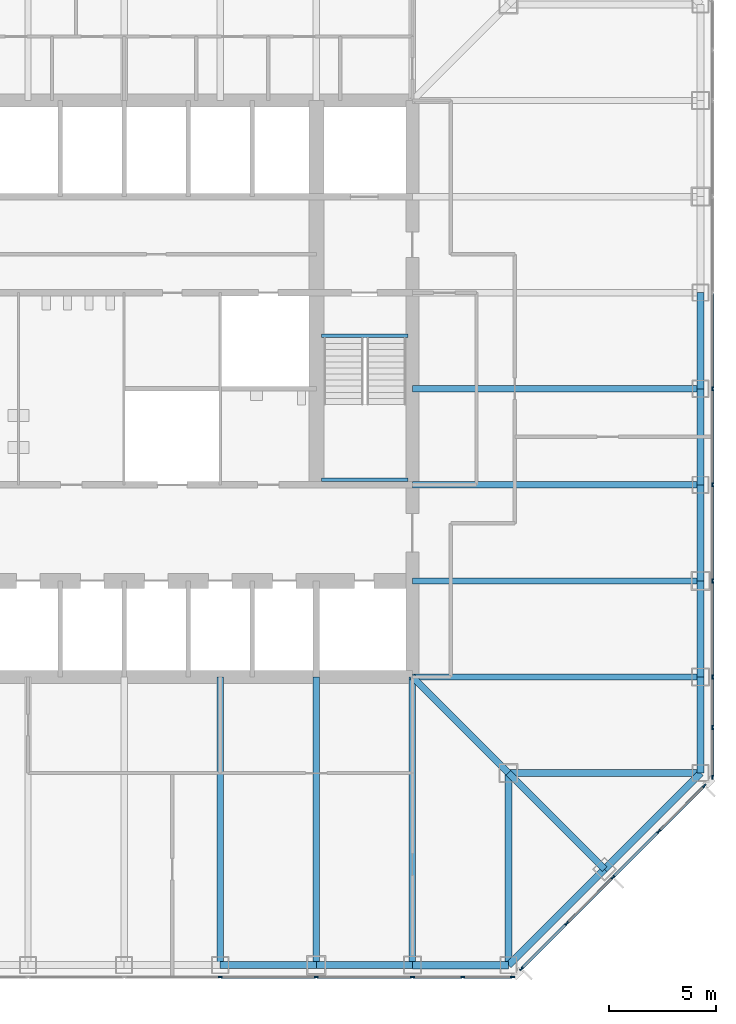
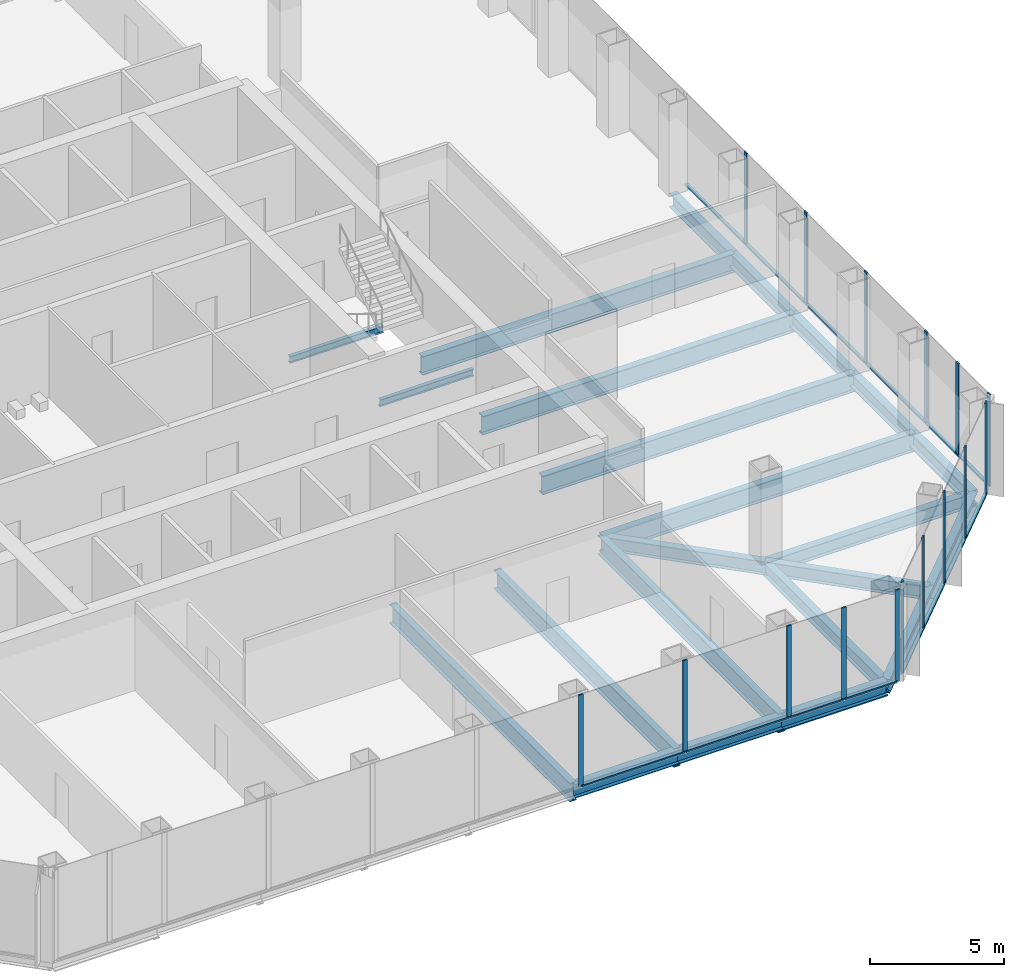
# One storey, part 4 of 13: 30 members, 23 beams, 3 elements without a shape of their own.
"""IFC4 building model written with IfcOpenShell, lengths in metres."""

import ifcopenshell
import ifcopenshell.guid

model = None  # the IFC model being written
_history = None  # IfcOwnerHistory: only IFC2X3 demands one
_inside = {}  # id of a spatial element -> (the spatial element, [elements in it])
_under = {}  # id of a project, library or spatial element -> (it, [spatial elements below it])
_declared = {}  # id of a project -> (the project, [libraries it declares])
_typed = {}  # id of a type object -> (the type object, [elements of that type])
_made_of = {}  # id of a material, layer set ... -> (it, [elements and type objects made of it])


def new_model(schema):
    """Start an empty IFC model of exactly this schema.

    Asked for "IFC4X3", IfcOpenShell would pick the latest addendum, in which some entities
    have other attributes; the version numbers below select the first issue.
    IFC2X3 requires an IfcOwnerHistory on every rooted entity: one is made here for all.
    """
    global model, _history
    if schema == "IFC4X3":
        model = ifcopenshell.file(schema_version=(4, 3, 0, 0))
    else:
        model = ifcopenshell.file(schema=schema)
    _inside.clear()
    _under.clear()
    _declared.clear()
    _typed.clear()
    _made_of.clear()
    _history = None
    if model.schema == "IFC2X3":
        org = make("IfcOrganization", Name="unknown")
        user = make(
            "IfcPersonAndOrganization",
            ThePerson=make("IfcPerson", FamilyName="unknown"),
            TheOrganization=org,
        )
        app = make(
            "IfcApplication",
            ApplicationDeveloper=org,
            Version="unknown",
            ApplicationFullName="unknown",
            ApplicationIdentifier="unknown",
        )
        _history = make(
            "IfcOwnerHistory",
            OwningUser=user,
            OwningApplication=app,
            ChangeAction="ADDED",
            CreationDate=0,
        )
    return model


def make(cls, **values):
    """One entity of the class cls with the attributes given. An attribute that is None is left unset."""
    return model.create_entity(
        cls, **{name: value for name, value in values.items() if value is not None}
    )


def rooted(cls, **values):
    """An entity with a GlobalId (a new one), such as an element, a storey or a relation."""
    return make(cls, GlobalId=ifcopenshell.guid.new(), OwnerHistory=_history, **values)


def si_unit(unit_type, name, prefix=None):
    """IfcSIUnit, for example si_unit("LENGTHUNIT", "METRE", prefix="MILLI")."""
    return make("IfcSIUnit", UnitType=unit_type, Prefix=prefix, Name=name)


def assignment(units):
    """IfcUnitAssignment: the units of a project."""
    return None if units is None else make("IfcUnitAssignment", Units=units)


def point(xyz):
    """IfcCartesianPoint."""
    return None if xyz is None else make("IfcCartesianPoint", Coordinates=xyz)


def direction(xyz):
    """IfcDirection."""
    return None if xyz is None else make("IfcDirection", DirectionRatios=xyz)


def frame(location, z_axis=None, x_axis=None):
    """IfcAxis2Placement3D, a coordinate frame: its origin and axes. An axis left out is left unset."""
    return make(
        "IfcAxis2Placement3D",
        Location=point(location),
        Axis=direction(z_axis),
        RefDirection=direction(x_axis),
    )


def frame_2d(location, x_axis=None):
    """IfcAxis2Placement2D, a coordinate frame in the plane: its origin and x axis."""
    return make(
        "IfcAxis2Placement2D", Location=point(location), RefDirection=direction(x_axis)
    )


def origin():
    """The frame at (0, 0, 0) with its axes left unset."""
    return frame((0.0, 0.0, 0.0))


def origin_2d():
    """The frame at (0, 0) in the plane with its x axis left unset."""
    return frame_2d((0.0, 0.0))


def place(relative_to, where):
    """IfcLocalPlacement: puts the frame where relative to a parent placement (None: the world)."""
    return make(
        "IfcLocalPlacement", PlacementRelTo=relative_to, RelativePlacement=where
    )


def context(
    kind, dimensions, precision=None, world=None, true_north=None, identifier=None
):
    """IfcGeometricRepresentationContext, for example the 3D "Model" context."""
    return make(
        "IfcGeometricRepresentationContext",
        ContextIdentifier=identifier,
        ContextType=kind,
        CoordinateSpaceDimension=dimensions,
        Precision=precision,
        WorldCoordinateSystem=world,
        TrueNorth=true_north,
    )


def subcontext(parent, identifier, kind, view, scale=None):
    """IfcGeometricRepresentationSubContext, for example "Body" below "Model"."""
    return make(
        "IfcGeometricRepresentationSubContext",
        ContextIdentifier=identifier,
        ContextType=kind,
        ParentContext=parent,
        TargetScale=scale,
        TargetView=view,
    )


def project(units=None, contexts=None):
    """IfcProject with its units and contexts."""
    return rooted(
        "IfcProject",
        Name="project",
        RepresentationContexts=contexts,
        UnitsInContext=assignment(units),
    )


def spatial(cls, under=None, at=None, **own):
    """A site, building, storey or space (cls), placed at a placement, below another one or the project."""
    s = rooted(cls, ObjectPlacement=at, **own)
    if under is not None:
        _under.setdefault(under.id(), (under, []))[1].append(s)
    return s


def profile(cls, at=None, kind="AREA", **sizes):
    """A parametric profile (cls). Its sizes go by their IFC names, for example OverallWidth=200.0."""
    return make(cls, ProfileType=kind, Position=at, **sizes)


def rectangle(**sizes):
    """IfcRectangleProfileDef."""
    return profile("IfcRectangleProfileDef", **sizes)


def i_section(**sizes):
    """IfcIShapeProfileDef."""
    return profile("IfcIShapeProfileDef", **sizes)


def extrude(swept, where, along, depth):
    """IfcExtrudedAreaSolid: the profile swept, set in the frame where, extruded along a direction by depth."""
    return make(
        "IfcExtrudedAreaSolid",
        SweptArea=swept,
        Position=where,
        ExtrudedDirection=direction(along),
        Depth=depth,
    )


def shape(context_of_items, identifier, shape_type, items):
    """IfcShapeRepresentation: the items that make up one representation, for example the "Body"."""
    return make(
        "IfcShapeRepresentation",
        ContextOfItems=context_of_items,
        RepresentationIdentifier=identifier,
        RepresentationType=shape_type,
        Items=items,
    )


def material(Name=None, Category=None):
    """IfcMaterial."""
    return make("IfcMaterial", Name=Name, Category=Category)


def material_profile(
    of_material, cross_section, Name=None, Category=None, Priority=None
):
    """IfcMaterialProfile: a cross section and its material."""
    return make(
        "IfcMaterialProfile",
        Name=Name,
        Material=of_material,
        Profile=cross_section,
        Priority=Priority,
        Category=Category,
    )


def profile_set(profiles, Name=None, composite=None):
    """IfcMaterialProfileSet."""
    return make(
        "IfcMaterialProfileSet",
        Name=Name,
        MaterialProfiles=profiles,
        CompositeProfile=composite,
    )


def made_of(thing, what):
    """Note that an element or type object is made of a material, layer set ...; save() writes the relation."""
    if what is not None:
        _made_of.setdefault(what.id(), (what, []))[1].append(thing)
    return thing


def type_object(cls, material=None, **own):
    """A type object (cls), such as IfcWallType, which elements share."""
    return made_of(rooted(cls, **own), material)


def element(
    cls,
    number,
    at=None,
    inside=None,
    cuts=None,
    type_object=None,
    material=None,
    context=None,
    identifier="Body",
    shape_type=None,
    held_by="IfcProductDefinitionShape",
    body=None,
    shapes=None,
    **own,
):
    """One element of the class cls, such as IfcWall. Its Tag is "e" and its number.

    at: its placement. inside: the storey or other place that contains it. cuts: it is an
    opening in that element (IfcRelVoidsElement). A single representation is given by context,
    identifier, shape_type and body (its items); several are given by shapes. held_by: the class
    of the entity that holds the representations. save() writes the other relations.
    """
    e = rooted(cls, Tag="e%d" % number, ObjectPlacement=at, **own)
    if body is not None:
        shapes = [shape(context, identifier, shape_type, body)]
    if shapes is not None:
        e.Representation = make(held_by, Representations=shapes)
    if inside is not None:
        _inside.setdefault(inside.id(), (inside, []))[1].append(e)
    if cuts is not None:
        rooted(
            "IfcRelVoidsElement", RelatingBuildingElement=cuts, RelatedOpeningElement=e
        )
    if type_object is not None:
        _typed.setdefault(type_object.id(), (type_object, []))[1].append(e)
    return made_of(e, material)


def aggregate(whole, parts):
    """IfcRelAggregates: a whole, such as a stair, and the parts it consists of."""
    return rooted("IfcRelAggregates", RelatingObject=whole, RelatedObjects=parts)


def save(model, path):
    """Write the relations noted so far, then the file.

    IfcRelAggregates (storeys below a building ...), IfcRelContainedInSpatialStructure (elements
    in a storey), IfcRelDefinesByType, IfcRelAssociatesMaterial and IfcRelDeclares: one each for
    every whole, place, type object, material and project.
    """
    for whole, parts in _under.values():
        aggregate(whole, parts)
    for where, things in _inside.values():
        rooted(
            "IfcRelContainedInSpatialStructure",
            RelatedElements=things,
            RelatingStructure=where,
        )
    for kind, things in _typed.values():
        rooted("IfcRelDefinesByType", RelatedObjects=things, RelatingType=kind)
    for what, things in _made_of.values():
        rooted("IfcRelAssociatesMaterial", RelatedObjects=things, RelatingMaterial=what)
    for by, libraries in _declared.values():
        rooted("IfcRelDeclares", RelatingContext=by, RelatedDefinitions=libraries)
    model.write(path)


model = new_model("IFC4")

# Units and contexts
model_context = context("Model", 3, precision=1e-05, world=origin(), true_north=direction((0.0, 1.0)))
body_context = subcontext(model_context, "Body", "Model", "MODEL_VIEW")
ifc_project = project(units=[si_unit("LENGTHUNIT", "METRE"), si_unit("AREAUNIT", "SQUARE_METRE"), si_unit("VOLUMEUNIT", "CUBIC_METRE"), si_unit("PLANEANGLEUNIT", "RADIAN"), si_unit("MASSUNIT", "GRAM", prefix="KILO")], contexts=[model_context])

# Site, building, storey
site_placement = place(None, origin())
site = spatial("IfcSite", under=ifc_project, at=site_placement, CompositionType="ELEMENT")
building_placement = place(site_placement, origin())
building = spatial("IfcBuilding", under=site, at=building_placement, Name="Corais Broadcast Tower", CompositionType="ELEMENT")
storey_placement = place(building_placement, frame((0.0, 0.0, 66.800048828125)))
storey = spatial("IfcBuildingStorey", under=building, at=storey_placement, Name="L14", CompositionType="ELEMENT", Elevation=66.800048828125)

# Beams
ifc_material_1 = material(Name="Steel ASTM A572 Grade 50", Category="steel")
ifc_material_profile_1 = material_profile(ifc_material_1, i_section(OverallWidth=0.323974609375, OverallDepth=0.611083984375, WebThickness=0.0126953125, FlangeThickness=0.01904296875, at=origin_2d()), Name="W610x155")
ifc_profile_set_1 = profile_set([ifc_material_profile_1], Name="Steel ASTM A572 Grade 50")
beam_type_1 = type_object("IfcBeamType", Name="Chamfer tie W610x155", PredefinedType="BEAM", material=ifc_profile_set_1)
beam_1_placement = place(storey_placement, frame((49.5, 4.5, -0.465576171875), z_axis=(-0.707106781187, 0.707106781187, 0.0), x_axis=(-0.707106781187, -0.707106781187, 0.0)))
element("IfcBeam", 1, at=beam_1_placement, inside=storey, type_object=beam_type_1, Name="B5 B/14 to C/13", PredefinedType="BEAM", context=body_context, shape_type="SweptSolid", body=[
    extrude(i_section(OverallWidth=0.323974609375, OverallDepth=0.611083984375, WebThickness=0.0126953125, FlangeThickness=0.01904296875, at=origin_2d()), origin(), (0.0, 0.0, 1.0), 6.364013671875),
])
ifc_material_2 = material(Name="Steel ASTM A572 Grade 50", Category="steel")
ifc_material_profile_2 = material_profile(ifc_material_2, i_section(OverallWidth=0.323974609375, OverallDepth=0.611083984375, WebThickness=0.0126953125, FlangeThickness=0.01904296875, at=origin_2d()), Name="W610x155")
ifc_profile_set_2 = profile_set([ifc_material_profile_2], Name="Steel ASTM A572 Grade 50")
beam_type_2 = type_object("IfcBeamType", Name="Corner diagonal W610x155", PredefinedType="BEAM", material=ifc_profile_set_2)
beam_2_placement = place(storey_placement, frame((45.0, 9.0, -0.465576171875), z_axis=(-0.707106781187, 0.707106781187, 0.0), x_axis=(-0.707106781187, -0.707106781187, 0.0)))
element("IfcBeam", 2, at=beam_2_placement, inside=storey, type_object=beam_type_2, Name="B6 C/13 to D/12", PredefinedType="BEAM", context=body_context, shape_type="SweptSolid", body=[
    extrude(i_section(OverallWidth=0.323974609375, OverallDepth=0.611083984375, WebThickness=0.0126953125, FlangeThickness=0.01904296875, at=origin_2d()), origin(), (0.0, 0.0, 1.0), 6.364013671875),
])
ifc_material_3 = material(Name="Steel ASTM A572 Grade 50", Category="steel")
ifc_material_profile_3 = material_profile(ifc_material_3, i_section(OverallWidth=0.323974609375, OverallDepth=0.611083984375, WebThickness=0.0126953125, FlangeThickness=0.01904296875, at=origin_2d()), Name="W610x155")
ifc_profile_set_3 = profile_set([ifc_material_profile_3], Name="Steel ASTM A572 Grade 50")
beam_type_3 = type_object("IfcBeamType", Name="Corner girder W610x155", PredefinedType="BEAM", material=ifc_profile_set_3)
for number, where, z_axis, x_axis, name in (
    (3, (45.0, 0.0, -0.465576171875), (0.0, 1.0, 0.0), (-1.0, 0.0, 0.0), "B4 A/13 to C/13"),
    (4, (54.0, 9.0, -0.465576171875), (-1.0, 0.0, 0.0), (0.0, -1.0, 0.0), "B4 C/15 to C/13"),
):
    element("IfcBeam", number, at=place(storey_placement, frame(where, z_axis=z_axis, x_axis=x_axis)), inside=storey, type_object=beam_type_3, Name=name, PredefinedType="BEAM", context=body_context, shape_type="SweptSolid", body=[
        extrude(i_section(OverallWidth=0.323974609375, OverallDepth=0.611083984375, WebThickness=0.0126953125, FlangeThickness=0.01904296875, at=origin_2d()), origin(), (0.0, 0.0, 1.0), 9.0),
    ])
ifc_material_4 = material(Name="Steel ASTM A572 Grade 50", Category="steel")
ifc_material_profile_4 = material_profile(ifc_material_4, i_section(OverallWidth=0.337890625, OverallDepth=0.677978515625, WebThickness=0.029541015625, FlangeThickness=0.052978515625, at=origin_2d()), Name="W610x415")
ifc_profile_set_4 = profile_set([ifc_material_profile_4], Name="Steel ASTM A572 Grade 50")
beam_type_4 = type_object("IfcBeamType", Name="Corner spandrel W610x415", PredefinedType="BEAM", material=ifc_profile_set_4)
for number, where, z_axis, x_axis, name in (
    (5, (40.5, 0.0, -0.4990234375), (1.0, 0.0, 0.0), (0.0, 1.0, 0.0), "SB10 A/12 to A/13"),
    (6, (54.0, 9.0, -0.4990234375), (0.0, 1.0, 0.0), (-1.0, 0.0, 0.0), "SB10 C/15 to D/15"),
):
    element("IfcBeam", number, at=place(storey_placement, frame(where, z_axis=z_axis, x_axis=x_axis)), inside=storey, type_object=beam_type_4, Name=name, PredefinedType="BEAM", context=body_context, shape_type="SweptSolid", body=[
        extrude(i_section(OverallWidth=0.337890625, OverallDepth=0.677978515625, WebThickness=0.029541015625, FlangeThickness=0.052978515625, at=origin_2d()), origin(), (0.0, 0.0, 1.0), 4.5),
    ])
ifc_material_5 = material(Name="Steel ASTM A572 Grade 50", Category="steel")
ifc_material_profile_5 = material_profile(ifc_material_5, i_section(OverallWidth=0.2939453125, OverallDepth=0.85107421875, WebThickness=0.01611328125, FlangeThickness=0.02685546875, at=origin_2d()), Name="W840x226")
ifc_profile_set_5 = profile_set([ifc_material_profile_5], Name="Steel ASTM A572 Grade 50")
beam_type_5 = type_object("IfcBeamType", Name="Floor beam W840x226", PredefinedType="BEAM", material=ifc_profile_set_5)
for number, where, z_axis, x_axis, name in (
    (7, (31.5, 0.0, -0.58544921875), (0.0, 1.0, 0.0), (-1.0, 0.0, 0.0), "B1 A/10 to D/10"),
    (8, (36.0, 0.0, -0.58544921875), (0.0, 1.0, 0.0), (-1.0, 0.0, 0.0), "B1 A/11 to D/11"),
    (9, (40.5, 0.0, -0.58544921875), (0.0, 1.0, 0.0), (-1.0, 0.0, 0.0), "B1 A/12 to D/12"),
    (10, (54.0, 13.5, -0.58544921875), (-1.0, 0.0, 0.0), (0.0, -1.0, 0.0), "B1 D/15 to D/12"),
    (11, (54.0, 18.0, -0.58544921875), (-1.0, 0.0, 0.0), (0.0, -1.0, 0.0), "B1 E/15 to E/12"),
    (12, (54.0, 22.5, -0.58544921875), (-1.0, 0.0, 0.0), (0.0, -1.0, 0.0), "B1 F/15 to F/12"),
    (13, (54.0, 27.0, -0.58544921875), (-1.0, 0.0, 0.0), (0.0, -1.0, 0.0), "B1 G/15 to G/12"),
):
    element("IfcBeam", number, at=place(storey_placement, frame(where, z_axis=z_axis, x_axis=x_axis)), inside=storey, type_object=beam_type_5, Name=name, PredefinedType="BEAM", context=body_context, shape_type="SweptSolid", body=[
        extrude(i_section(OverallWidth=0.2939453125, OverallDepth=0.85107421875, WebThickness=0.01611328125, FlangeThickness=0.02685546875, at=origin_2d()), origin(), (0.0, 0.0, 1.0), 13.5),
    ])
ifc_material_6 = material(Name="Steel ASTM A572 Grade 50", Category="steel")
ifc_material_profile_6 = material_profile(ifc_material_6, i_section(OverallWidth=0.1650390625, OverallDepth=0.31005859375, WebThickness=0.005859375, FlangeThickness=0.009765625, at=origin_2d()), Name="W310x38.7")
ifc_profile_set_6 = profile_set([ifc_material_profile_6], Name="Steel ASTM A572 Grade 50")
beam_type_6 = type_object("IfcBeamType", Name="Landing trimmer W310x38.7", PredefinedType="BEAM", material=ifc_profile_set_6)
for number, where, z_axis, x_axis, name in (
    (14, (36.25, 29.47509765625, -0.35498046875), (1.0, 0.0, 0.0), (0.0, 1.0, 0.0), "LT1 stair B landing trimmer L14"),
    (15, (36.25, 22.739990234375, 1.744873046875), (1.0, 0.0, 0.0), (0.0, 1.0, 0.0), "LT1 stair B half landing trimmer L14"),
):
    element("IfcBeam", number, at=place(storey_placement, frame(where, z_axis=z_axis, x_axis=x_axis)), inside=storey, type_object=beam_type_6, Name=name, PredefinedType="BEAM", context=body_context, shape_type="SweptSolid", body=[
        extrude(i_section(OverallWidth=0.1650390625, OverallDepth=0.31005859375, WebThickness=0.005859375, FlangeThickness=0.009765625, at=origin_2d()), origin(), (0.0, 0.0, 1.0), 4.050048828125),
    ])

# Curtain wall, members
ifc_material_7 = material(Name="Aluminium and glass", Category="aluminium")
curtain_wall_type = type_object("IfcCurtainWallType", Name="Unitised fritted curtain wall CW1", PredefinedType="NOTDEFINED", material=ifc_material_7)
curtain_wall_1_placement = place(storey_placement, origin())
curtain_wall_1 = element("IfcCurtainWall", 16, at=curtain_wall_1_placement, inside=storey, type_object=curtain_wall_type, Name="CW1 curtain wall L14 6", PredefinedType="NOTDEFINED")
ifc_material_8 = material(Name="Aluminium 6063-T6", Category="aluminium")
ifc_material_profile_7 = material_profile(ifc_material_8, rectangle(XDim=0.06494140625, YDim=0.199951171875, at=origin_2d()), Name="Mullion CW1 65x200")
ifc_profile_set_7 = profile_set([ifc_material_profile_7], Name="Aluminium 6063-T6")
member_type_1 = type_object("IfcMemberType", Name="Mullion CW1 65x200", PredefinedType="MULLION", material=ifc_profile_set_7)
member_1_placement = place(storey_placement, frame((54.550048828125, 27.0, 0.0), z_axis=(0.0, 0.0, 1.0), x_axis=(1.0, 0.0, 0.0)))
member_1 = element("IfcMember", 17, at=member_1_placement, type_object=member_type_1, Name="CW1 mullion 6", PredefinedType="MULLION", context=body_context, shape_type="SweptSolid", body=[
    extrude(rectangle(XDim=0.06494140625, YDim=0.199951171875, at=origin_2d()), origin(), (0.0, 0.0, 1.0), 4.199951171875),
])
member_2_placement = place(storey_placement, frame((54.550048828125, 22.5, 0.0), z_axis=(0.0, 0.0, 1.0), x_axis=(1.0, 0.0, 0.0)))
member_2 = element("IfcMember", 18, at=member_2_placement, type_object=member_type_1, Name="CW1 mullion 7", PredefinedType="MULLION", context=body_context, shape_type="SweptSolid", body=[
    extrude(rectangle(XDim=0.06494140625, YDim=0.199951171875, at=origin_2d()), origin(), (0.0, 0.0, 1.0), 4.199951171875),
])
member_3_placement = place(storey_placement, frame((54.550048828125, 18.0, 0.0), z_axis=(0.0, 0.0, 1.0), x_axis=(1.0, 0.0, 0.0)))
member_3 = element("IfcMember", 19, at=member_3_placement, type_object=member_type_1, Name="CW1 mullion 8", PredefinedType="MULLION", context=body_context, shape_type="SweptSolid", body=[
    extrude(rectangle(XDim=0.06494140625, YDim=0.199951171875, at=origin_2d()), origin(), (0.0, 0.0, 1.0), 4.199951171875),
])
member_4_placement = place(storey_placement, frame((54.550048828125, 13.5, 0.0), z_axis=(0.0, 0.0, 1.0), x_axis=(1.0, 0.0, 0.0)))
member_4 = element("IfcMember", 20, at=member_4_placement, type_object=member_type_1, Name="CW1 mullion 9", PredefinedType="MULLION", context=body_context, shape_type="SweptSolid", body=[
    extrude(rectangle(XDim=0.06494140625, YDim=0.199951171875, at=origin_2d()), origin(), (0.0, 0.0, 1.0), 4.199951171875),
])
member_5_placement = place(storey_placement, frame((54.550048828125, 11.135986328125, 0.0), z_axis=(0.0, 0.0, 1.0), x_axis=(1.0, 0.0, 0.0)))
member_5 = element("IfcMember", 21, at=member_5_placement, type_object=member_type_1, Name="CW1 mullion 10", PredefinedType="MULLION", context=body_context, shape_type="SweptSolid", body=[
    extrude(rectangle(XDim=0.06494140625, YDim=0.199951171875, at=origin_2d()), origin(), (0.0, 0.0, 1.0), 4.199951171875),
])
member_6_placement = place(storey_placement, frame((54.550048828125, 8.8046875, 0.0), z_axis=(0.0, 0.0, 1.0), x_axis=(1.0, 0.0, 0.0)))
member_6 = element("IfcMember", 22, at=member_6_placement, type_object=member_type_1, Name="CW1 mullion 11", PredefinedType="MULLION", context=body_context, shape_type="SweptSolid", body=[
    extrude(rectangle(XDim=0.06494140625, YDim=0.199951171875, at=origin_2d()), origin(), (0.0, 0.0, 1.0), 4.199951171875),
])

curtain_wall_2_placement = place(storey_placement, origin())
curtain_wall_2 = element("IfcCurtainWall", 23, at=curtain_wall_2_placement, inside=storey, type_object=curtain_wall_type, Name="CW1 curtain wall L14 7", PredefinedType="NOTDEFINED")
member_7_placement = place(storey_placement, frame((54.17333984375, 8.3955078125, 0.0), z_axis=(0.0, 0.0, 1.0), x_axis=(0.707106781187, -0.707106781187, 0.0)))
member_7 = element("IfcMember", 24, at=member_7_placement, type_object=member_type_1, Name="CW1 mullion 1", PredefinedType="MULLION", context=body_context, shape_type="SweptSolid", body=[
    extrude(rectangle(XDim=0.06494140625, YDim=0.199951171875, at=origin_2d()), origin(), (0.0, 0.0, 1.0), 4.199951171875),
])
member_8_placement = place(storey_placement, frame((52.042724609375, 6.264892578125, 0.0), z_axis=(0.0, 0.0, 1.0), x_axis=(0.707106781187, -0.707106781187, 0.0)))
member_8 = element("IfcMember", 25, at=member_8_placement, type_object=member_type_1, Name="CW1 mullion 2", PredefinedType="MULLION", context=body_context, shape_type="SweptSolid", body=[
    extrude(rectangle(XDim=0.06494140625, YDim=0.199951171875, at=origin_2d()), origin(), (0.0, 0.0, 1.0), 4.199951171875),
])
member_9_placement = place(storey_placement, frame((49.888916015625, 4.111083984375, 0.0), z_axis=(0.0, 0.0, 1.0), x_axis=(0.707106781187, -0.707106781187, 0.0)))
member_9 = element("IfcMember", 26, at=member_9_placement, type_object=member_type_1, Name="CW1 mullion 3", PredefinedType="MULLION", context=body_context, shape_type="SweptSolid", body=[
    extrude(rectangle(XDim=0.06494140625, YDim=0.199951171875, at=origin_2d()), origin(), (0.0, 0.0, 1.0), 4.199951171875),
])
member_10_placement = place(storey_placement, frame((47.735107421875, 1.957275390625, 0.0), z_axis=(0.0, 0.0, 1.0), x_axis=(0.707106781187, -0.707106781187, 0.0)))
member_10 = element("IfcMember", 27, at=member_10_placement, type_object=member_type_1, Name="CW1 mullion 4", PredefinedType="MULLION", context=body_context, shape_type="SweptSolid", body=[
    extrude(rectangle(XDim=0.06494140625, YDim=0.199951171875, at=origin_2d()), origin(), (0.0, 0.0, 1.0), 4.199951171875),
])
member_11_placement = place(storey_placement, frame((45.6044921875, -0.17333984375, 0.0), z_axis=(0.0, 0.0, 1.0), x_axis=(0.707106781187, -0.707106781187, 0.0)))
member_11 = element("IfcMember", 28, at=member_11_placement, type_object=member_type_1, Name="CW1 mullion 5", PredefinedType="MULLION", context=body_context, shape_type="SweptSolid", body=[
    extrude(rectangle(XDim=0.06494140625, YDim=0.199951171875, at=origin_2d()), origin(), (0.0, 0.0, 1.0), 4.199951171875),
])

curtain_wall_3_placement = place(storey_placement, origin())
curtain_wall_3 = element("IfcCurtainWall", 29, at=curtain_wall_3_placement, inside=storey, type_object=curtain_wall_type, Name="CW1 curtain wall L14 8", PredefinedType="NOTDEFINED")
member_12_placement = place(storey_placement, frame((45.1953125, -0.550048828125, 0.0), z_axis=(0.0, 0.0, 1.0), x_axis=(0.0, -1.0, 0.0)))
member_12 = element("IfcMember", 30, at=member_12_placement, type_object=member_type_1, Name="CW1 mullion 1", PredefinedType="MULLION", context=body_context, shape_type="SweptSolid", body=[
    extrude(rectangle(XDim=0.06494140625, YDim=0.199951171875, at=origin_2d()), origin(), (0.0, 0.0, 1.0), 4.199951171875),
])
member_13_placement = place(storey_placement, frame((42.864013671875, -0.550048828125, 0.0), z_axis=(0.0, 0.0, 1.0), x_axis=(0.0, -1.0, 0.0)))
member_13 = element("IfcMember", 31, at=member_13_placement, type_object=member_type_1, Name="CW1 mullion 2", PredefinedType="MULLION", context=body_context, shape_type="SweptSolid", body=[
    extrude(rectangle(XDim=0.06494140625, YDim=0.199951171875, at=origin_2d()), origin(), (0.0, 0.0, 1.0), 4.199951171875),
])
member_14_placement = place(storey_placement, frame((40.5, -0.550048828125, 0.0), z_axis=(0.0, 0.0, 1.0), x_axis=(0.0, -1.0, 0.0)))
member_14 = element("IfcMember", 32, at=member_14_placement, type_object=member_type_1, Name="CW1 mullion 3", PredefinedType="MULLION", context=body_context, shape_type="SweptSolid", body=[
    extrude(rectangle(XDim=0.06494140625, YDim=0.199951171875, at=origin_2d()), origin(), (0.0, 0.0, 1.0), 4.199951171875),
])
member_15_placement = place(storey_placement, frame((36.0, -0.550048828125, 0.0), z_axis=(0.0, 0.0, 1.0), x_axis=(0.0, -1.0, 0.0)))
member_15 = element("IfcMember", 33, at=member_15_placement, type_object=member_type_1, Name="CW1 mullion 4", PredefinedType="MULLION", context=body_context, shape_type="SweptSolid", body=[
    extrude(rectangle(XDim=0.06494140625, YDim=0.199951171875, at=origin_2d()), origin(), (0.0, 0.0, 1.0), 4.199951171875),
])
member_16_placement = place(storey_placement, frame((31.5, -0.550048828125, 0.0), z_axis=(0.0, 0.0, 1.0), x_axis=(0.0, -1.0, 0.0)))
member_16 = element("IfcMember", 34, at=member_16_placement, type_object=member_type_1, Name="CW1 mullion 5", PredefinedType="MULLION", context=body_context, shape_type="SweptSolid", body=[
    extrude(rectangle(XDim=0.06494140625, YDim=0.199951171875, at=origin_2d()), origin(), (0.0, 0.0, 1.0), 4.199951171875),
])

# Beams
ifc_material_9 = material(Name="Steel ASTM A572 Grade 50", Category="steel")
ifc_material_profile_8 = material_profile(ifc_material_9, i_section(OverallWidth=0.3291015625, OverallDepth=0.635009765625, WebThickness=0.017822265625, FlangeThickness=0.031005859375, at=origin_2d()), Name="W610x241")
ifc_profile_set_8 = profile_set([ifc_material_profile_8], Name="Steel ASTM A572 Grade 50")
beam_type_7 = type_object("IfcBeamType", Name="Spandrel W610x241", PredefinedType="BEAM", material=ifc_profile_set_8)
for number, where, z_axis, x_axis, name in (
    (35, (31.5, 0.0, -0.4775390625), (1.0, 0.0, 0.0), (0.0, 1.0, 0.0), "SB1 A/10 to A/11"),
    (36, (36.0, 0.0, -0.4775390625), (1.0, 0.0, 0.0), (0.0, 1.0, 0.0), "SB1 A/11 to A/12"),
):
    element("IfcBeam", number, at=place(storey_placement, frame(where, z_axis=z_axis, x_axis=x_axis)), inside=storey, type_object=beam_type_7, Name=name, PredefinedType="BEAM", context=body_context, shape_type="SweptSolid", body=[
        extrude(i_section(OverallWidth=0.3291015625, OverallDepth=0.635009765625, WebThickness=0.017822265625, FlangeThickness=0.031005859375, at=origin_2d()), origin(), (0.0, 0.0, 1.0), 4.5),
    ])
for number, where, z_axis, x_axis, name in (
    (37, (45.0, 0.0, -0.4775390625), (0.707106781187, 0.707106781187, 0.0), (-0.707106781187, 0.707106781187, 0.0), "SB1 A/13 to B/14"),
    (38, (49.5, 4.5, -0.4775390625), (0.707106781187, 0.707106781187, 0.0), (-0.707106781187, 0.707106781187, 0.0), "SB1 B/14 to C/15"),
):
    element("IfcBeam", number, at=place(storey_placement, frame(where, z_axis=z_axis, x_axis=x_axis)), inside=storey, type_object=beam_type_7, Name=name, PredefinedType="BEAM", context=body_context, shape_type="SweptSolid", body=[
        extrude(i_section(OverallWidth=0.3291015625, OverallDepth=0.635009765625, WebThickness=0.017822265625, FlangeThickness=0.031005859375, at=origin_2d()), origin(), (0.0, 0.0, 1.0), 6.364013671875),
    ])
for number, where, z_axis, x_axis, name in (
    (39, (54.0, 13.5, -0.4775390625), (0.0, 1.0, 0.0), (-1.0, 0.0, 0.0), "SB1 D/15 to E/15"),
    (40, (54.0, 18.0, -0.4775390625), (0.0, 1.0, 0.0), (-1.0, 0.0, 0.0), "SB1 E/15 to F/15"),
    (41, (54.0, 22.5, -0.4775390625), (0.0, 1.0, 0.0), (-1.0, 0.0, 0.0), "SB1 F/15 to G/15"),
    (42, (54.0, 27.0, -0.4775390625), (0.0, 1.0, 0.0), (-1.0, 0.0, 0.0), "SB1 G/15 to H/15"),
):
    element("IfcBeam", number, at=place(storey_placement, frame(where, z_axis=z_axis, x_axis=x_axis)), inside=storey, type_object=beam_type_7, Name=name, PredefinedType="BEAM", context=body_context, shape_type="SweptSolid", body=[
        extrude(i_section(OverallWidth=0.3291015625, OverallDepth=0.635009765625, WebThickness=0.017822265625, FlangeThickness=0.031005859375, at=origin_2d()), origin(), (0.0, 0.0, 1.0), 4.5),
    ])

# Member
ifc_material_10 = material(Name="Aluminium 6063-T6", Category="aluminium")
ifc_material_profile_9 = material_profile(ifc_material_10, rectangle(XDim=0.139892578125, YDim=0.06494140625, at=origin_2d()), Name="Transom CW1 65x140")
ifc_profile_set_9 = profile_set([ifc_material_profile_9], Name="Aluminium 6063-T6")
member_type_2 = type_object("IfcMemberType", Name="Transom CW1 65x140", PredefinedType="USERDEFINED", material=ifc_profile_set_9)
member_17_placement = place(storey_placement, frame((54.550048828125, 31.467529296875, 0.032470703125), z_axis=(0.0, -1.0, 0.0), x_axis=(1.0, 0.0, 0.0)))
member_17 = element("IfcMember", 43, at=member_17_placement, type_object=member_type_2, Name="CW1 transom 5.1", ObjectType="TRANSOM", PredefinedType="USERDEFINED", context=body_context, shape_type="SweptSolid", body=[
    extrude(rectangle(XDim=0.139892578125, YDim=0.06494140625, at=origin_2d()), origin(), (0.0, 0.0, 1.0), 4.43505859375),
])

member_18_placement = place(storey_placement, frame((54.550048828125, 26.967529296875, 0.032470703125), z_axis=(0.0, -1.0, 0.0), x_axis=(1.0, 0.0, 0.0)))
member_18 = element("IfcMember", 44, at=member_18_placement, type_object=member_type_2, Name="CW1 transom 6.1", ObjectType="TRANSOM", PredefinedType="USERDEFINED", context=body_context, shape_type="SweptSolid", body=[
    extrude(rectangle(XDim=0.139892578125, YDim=0.06494140625, at=origin_2d()), origin(), (0.0, 0.0, 1.0), 4.43505859375),
])

member_19_placement = place(storey_placement, frame((54.550048828125, 22.467529296875, 0.032470703125), z_axis=(0.0, -1.0, 0.0), x_axis=(1.0, 0.0, 0.0)))
member_19 = element("IfcMember", 45, at=member_19_placement, type_object=member_type_2, Name="CW1 transom 7.1", ObjectType="TRANSOM", PredefinedType="USERDEFINED", context=body_context, shape_type="SweptSolid", body=[
    extrude(rectangle(XDim=0.139892578125, YDim=0.06494140625, at=origin_2d()), origin(), (0.0, 0.0, 1.0), 4.43505859375),
])

member_20_placement = place(storey_placement, frame((54.550048828125, 17.967529296875, 0.032470703125), z_axis=(0.0, -1.0, 0.0), x_axis=(1.0, 0.0, 0.0)))
member_20 = element("IfcMember", 46, at=member_20_placement, type_object=member_type_2, Name="CW1 transom 8.1", ObjectType="TRANSOM", PredefinedType="USERDEFINED", context=body_context, shape_type="SweptSolid", body=[
    extrude(rectangle(XDim=0.139892578125, YDim=0.06494140625, at=origin_2d()), origin(), (0.0, 0.0, 1.0), 4.43505859375),
])

member_21_placement = place(storey_placement, frame((54.550048828125, 13.467529296875, 0.032470703125), z_axis=(0.0, -1.0, 0.0), x_axis=(1.0, 0.0, 0.0)))
member_21 = element("IfcMember", 47, at=member_21_placement, type_object=member_type_2, Name="CW1 transom 9.1", ObjectType="TRANSOM", PredefinedType="USERDEFINED", context=body_context, shape_type="SweptSolid", body=[
    extrude(rectangle(XDim=0.139892578125, YDim=0.06494140625, at=origin_2d()), origin(), (0.0, 0.0, 1.0), 2.298828125),
])

member_22_placement = place(storey_placement, frame((54.550048828125, 11.103515625, 0.032470703125), z_axis=(0.0, -1.0, 0.0), x_axis=(1.0, 0.0, 0.0)))
member_22 = element("IfcMember", 48, at=member_22_placement, type_object=member_type_2, Name="CW1 transom 10.1", ObjectType="TRANSOM", PredefinedType="USERDEFINED", context=body_context, shape_type="SweptSolid", body=[
    extrude(rectangle(XDim=0.139892578125, YDim=0.06494140625, at=origin_2d()), origin(), (0.0, 0.0, 1.0), 2.266357421875),
])

aggregate(curtain_wall_1, [member_1, member_2, member_3, member_4, member_5, member_6, member_17, member_18, member_19, member_20, member_21, member_22])

member_23_placement = place(storey_placement, frame((54.150390625, 8.37255859375, 0.032470703125), z_axis=(-0.707106781187, -0.707106781187, 0.0), x_axis=(0.707106781187, -0.707106781187, 0.0)))
member_23 = element("IfcMember", 49, at=member_23_placement, type_object=member_type_2, Name="CW1 transom 1.1", ObjectType="TRANSOM", PredefinedType="USERDEFINED", context=body_context, shape_type="SweptSolid", body=[
    extrude(rectangle(XDim=0.139892578125, YDim=0.06494140625, at=origin_2d()), origin(), (0.0, 0.0, 1.0), 2.9482421875),
])

member_24_placement = place(storey_placement, frame((52.019775390625, 6.241943359375, 0.032470703125), z_axis=(-0.707106781187, -0.707106781187, 0.0), x_axis=(0.707106781187, -0.707106781187, 0.0)))
member_24 = element("IfcMember", 50, at=member_24_placement, type_object=member_type_2, Name="CW1 transom 2.1", ObjectType="TRANSOM", PredefinedType="USERDEFINED", context=body_context, shape_type="SweptSolid", body=[
    extrude(rectangle(XDim=0.139892578125, YDim=0.06494140625, at=origin_2d()), origin(), (0.0, 0.0, 1.0), 2.98095703125),
])

member_25_placement = place(storey_placement, frame((49.865966796875, 4.088134765625, 0.032470703125), z_axis=(-0.707106781187, -0.707106781187, 0.0), x_axis=(0.707106781187, -0.707106781187, 0.0)))
member_25 = element("IfcMember", 51, at=member_25_placement, type_object=member_type_2, Name="CW1 transom 3.1", ObjectType="TRANSOM", PredefinedType="USERDEFINED", context=body_context, shape_type="SweptSolid", body=[
    extrude(rectangle(XDim=0.139892578125, YDim=0.06494140625, at=origin_2d()), origin(), (0.0, 0.0, 1.0), 2.98095703125),
])

member_26_placement = place(storey_placement, frame((47.712158203125, 1.934326171875, 0.032470703125), z_axis=(-0.707106781187, -0.707106781187, 0.0), x_axis=(0.707106781187, -0.707106781187, 0.0)))
member_26 = element("IfcMember", 52, at=member_26_placement, type_object=member_type_2, Name="CW1 transom 4.1", ObjectType="TRANSOM", PredefinedType="USERDEFINED", context=body_context, shape_type="SweptSolid", body=[
    extrude(rectangle(XDim=0.139892578125, YDim=0.06494140625, at=origin_2d()), origin(), (0.0, 0.0, 1.0), 2.9482421875),
])

aggregate(curtain_wall_2, [member_7, member_8, member_9, member_10, member_11, member_23, member_24, member_25, member_26])

member_27_placement = place(storey_placement, frame((45.162841796875, -0.550048828125, 0.032470703125), z_axis=(-1.0, 0.0, 0.0), x_axis=(0.0, -1.0, 0.0)))
member_27 = element("IfcMember", 53, at=member_27_placement, type_object=member_type_2, Name="CW1 transom 1.1", ObjectType="TRANSOM", PredefinedType="USERDEFINED", context=body_context, shape_type="SweptSolid", body=[
    extrude(rectangle(XDim=0.139892578125, YDim=0.06494140625, at=origin_2d()), origin(), (0.0, 0.0, 1.0), 2.266357421875),
])

member_28_placement = place(storey_placement, frame((42.831298828125, -0.550048828125, 0.032470703125), z_axis=(-1.0, 0.0, 0.0), x_axis=(0.0, -1.0, 0.0)))
member_28 = element("IfcMember", 54, at=member_28_placement, type_object=member_type_2, Name="CW1 transom 2.1", ObjectType="TRANSOM", PredefinedType="USERDEFINED", context=body_context, shape_type="SweptSolid", body=[
    extrude(rectangle(XDim=0.139892578125, YDim=0.06494140625, at=origin_2d()), origin(), (0.0, 0.0, 1.0), 2.298828125),
])

member_29_placement = place(storey_placement, frame((40.467529296875, -0.550048828125, 0.032470703125), z_axis=(-1.0, 0.0, 0.0), x_axis=(0.0, -1.0, 0.0)))
member_29 = element("IfcMember", 55, at=member_29_placement, type_object=member_type_2, Name="CW1 transom 3.1", ObjectType="TRANSOM", PredefinedType="USERDEFINED", context=body_context, shape_type="SweptSolid", body=[
    extrude(rectangle(XDim=0.139892578125, YDim=0.06494140625, at=origin_2d()), origin(), (0.0, 0.0, 1.0), 4.43505859375),
])

member_30_placement = place(storey_placement, frame((35.967529296875, -0.550048828125, 0.032470703125), z_axis=(-1.0, 0.0, 0.0), x_axis=(0.0, -1.0, 0.0)))
member_30 = element("IfcMember", 56, at=member_30_placement, type_object=member_type_2, Name="CW1 transom 4.1", ObjectType="TRANSOM", PredefinedType="USERDEFINED", context=body_context, shape_type="SweptSolid", body=[
    extrude(rectangle(XDim=0.139892578125, YDim=0.06494140625, at=origin_2d()), origin(), (0.0, 0.0, 1.0), 4.43505859375),
])

aggregate(curtain_wall_3, [member_12, member_13, member_14, member_15, member_16, member_27, member_28, member_29, member_30])

save(model, "model.ifc")
